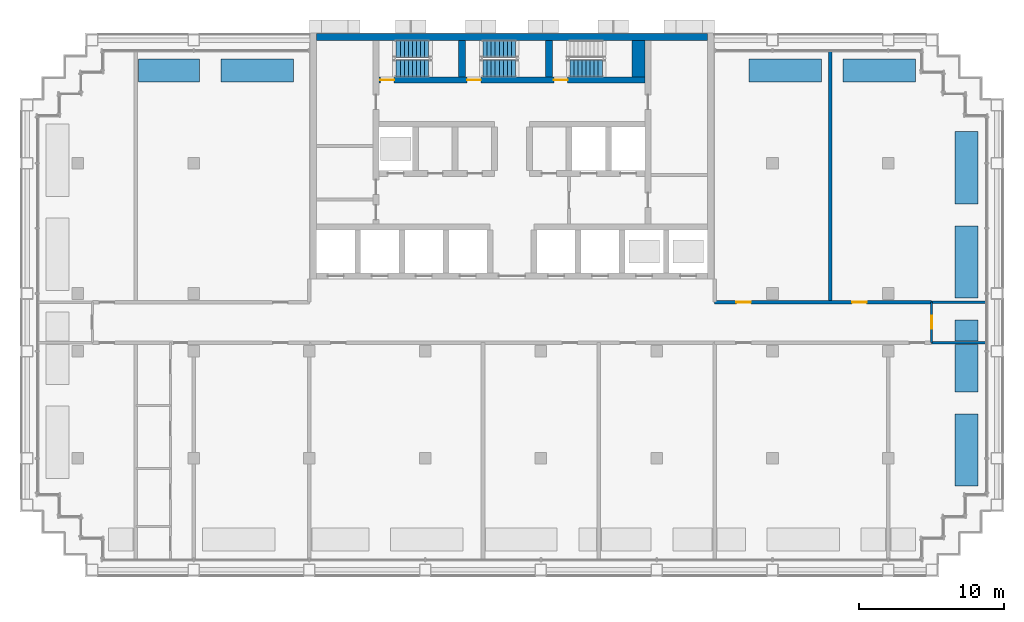
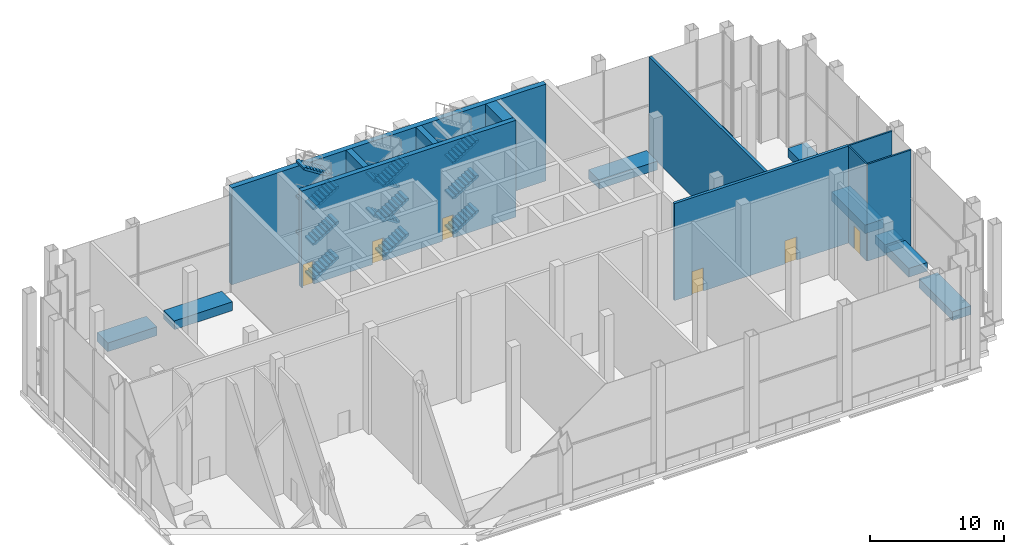
# One storey, part 10 of 16: 19 walls, 14 stair flights, 6 doors, 6 openings, 3 elements without a shape of their own.
"""IFC4 building model written with IfcOpenShell, lengths in metres."""

from ifc_helpers import new_model, si_unit, direction, frame, frame_2d, origin, place, context, subcontext, project, spatial, polyline, rectangle, outline, extrude, material, layer, layer_set, type_object, element, fill, aggregate, save


model = new_model("IFC4")

# Units and contexts
model_context = context("Model", 3, precision=1e-05, world=origin(), true_north=direction((0.0, 1.0)))
body_context = subcontext(model_context, "Body", "Model", "MODEL_VIEW")
ifc_project = project(units=[si_unit("LENGTHUNIT", "METRE"), si_unit("AREAUNIT", "SQUARE_METRE"), si_unit("VOLUMEUNIT", "CUBIC_METRE"), si_unit("PLANEANGLEUNIT", "RADIAN"), si_unit("MASSUNIT", "GRAM", prefix="KILO")], contexts=[model_context])

# Site, building, storey
site_placement = place(None, origin())
site = spatial("IfcSite", under=ifc_project, at=site_placement, CompositionType="ELEMENT")
building_placement = place(site_placement, origin())
building = spatial("IfcBuilding", under=site, at=building_placement, Name="Vidyagriha Tower", CompositionType="ELEMENT")
storey_placement = place(building_placement, frame((0.0, 0.0, 151.800048828125)))
storey = spatial("IfcBuildingStorey", under=building, at=storey_placement, Name="L40", CompositionType="ELEMENT", Elevation=151.800048828125)

# Walls
ifc_material_1 = material(Name="Precast concrete C40/50 with brick facing", Category="concrete")
ifc_layer_1 = layer(ifc_material_1, 1.60009765625)
ifc_layer_set_1 = layer_set([ifc_layer_1], Name="Precast concrete C40/50 with brick facing")
wall_type_1 = type_object("IfcWallType", Name="Brick planter box 1600", PredefinedType="STANDARD", material=ifc_layer_set_1)
for number, where, z_axis, x_axis, name in (
    (1, (27.8798828125, 17.39990234375, 0.0), (0.0, 0.0, 1.0), (-1.0, 0.0, 0.0), "PLANTER L40 1"),
    (2, (21.3798828125, 17.39990234375, 0.0), (0.0, 0.0, 1.0), (-1.0, 0.0, 0.0), "PLANTER L40 2"),
    (3, (-15.10009765625, 17.39990234375, 0.0), (0.0, 0.0, 1.0), (-1.0, 0.0, 0.0), "PLANTER L40 3"),
    (4, (31.39990234375, -11.320068359375, 0.0), (0.0, 0.0, 1.0), (0.0, 1.0, 0.0), "PLANTER L40 18"),
    (5, (31.39990234375, 1.679931640625, 0.0), (0.0, 0.0, 1.0), (0.0, 1.0, 0.0), "PLANTER L40 20"),
    (6, (31.39990234375, 8.179931640625, 0.0), (0.0, 0.0, 1.0), (0.0, 1.0, 0.0), "PLANTER L40 21"),
):
    element("IfcWall", number, at=place(storey_placement, frame(where, z_axis=z_axis, x_axis=x_axis)), inside=storey, type_object=wall_type_1, Name=name, PredefinedType="STANDARD", context=body_context, shape_type="SweptSolid", body=[
        extrude(rectangle(XDim=5.0, YDim=1.60009765625, at=frame_2d((2.5, 0.0))), origin(), (0.0, 0.0, 1.0), 0.800048828125),
    ])
wall_1_placement = place(storey_placement, frame((-21.60009765625, 17.39990234375, 0.0), z_axis=(0.0, 0.0, 1.0), x_axis=(-1.0, 0.0, 0.0)))
element("IfcWall", 7, at=wall_1_placement, inside=storey, type_object=wall_type_1, Name="PLANTER L40 4", PredefinedType="STANDARD", context=body_context, shape_type="SweptSolid", body=[
    extrude(rectangle(XDim=4.224853515625, YDim=1.60009765625, at=frame_2d((2.1123046875, 0.0))), origin(), (0.0, 0.0, 1.0), 0.800048828125),
])
wall_2_placement = place(storey_placement, frame((31.39990234375, -4.820068359375, 0.0), z_axis=(0.0, 0.0, 1.0), x_axis=(0.0, 1.0, 0.0)))
element("IfcWall", 8, at=wall_2_placement, inside=storey, type_object=wall_type_1, Name="PLANTER L40 19", PredefinedType="STANDARD", context=body_context, shape_type="SweptSolid", body=[
    extrude(rectangle(XDim=3.295166015625, YDim=1.60009765625, at=frame_2d((1.6474609375, 0.0))), origin(), (0.0, 0.0, 1.0), 0.800048828125),
])
wall_3_placement = place(storey_placement, frame((31.39990234375, -1.27490234375, 0.0), z_axis=(0.0, 0.0, 1.0), x_axis=(0.0, 1.0, 0.0)))
element("IfcWall", 9, at=wall_3_placement, inside=storey, type_object=wall_type_1, Name="PLANTER L40 19", PredefinedType="STANDARD", context=body_context, shape_type="SweptSolid", body=[
    extrude(rectangle(XDim=1.454833984375, YDim=1.60009765625, at=frame_2d((0.7275390625, 0.0))), origin(), (0.0, 0.0, 1.0), 0.800048828125),
])

# Wall, openings, doors
ifc_material_2 = material(Name="Concrete C60/75", Category="concrete")
ifc_layer_2 = layer(ifc_material_2, 0.39990234375)
ifc_layer_set_2 = layer_set([ifc_layer_2], Name="Concrete C60/75")
wall_type_2 = type_object("IfcWallType", Name="Core shear wall 400 mm", PredefinedType="SHEAR", material=ifc_layer_set_2)
wall_4_placement = place(storey_placement, frame((-9.199951171875, 16.75, 0.0)))
wall_4 = element("IfcWall", 10, at=wall_4_placement, inside=storey, type_object=wall_type_2, Name="Stair front wall", PredefinedType="SHEAR", context=body_context, shape_type="SweptSolid", body=[
    extrude(rectangle(XDim=18.39990234375, YDim=0.39990234375, at=frame_2d((9.199951171875, 0.0))), origin(), (0.0, 0.0, 1.0), 8.800048828125),
])
opening_1_placement = place(wall_4_placement, frame((0.10009765625, 0.0, 0.0)))
opening_1 = element("IfcOpeningElement", 11, at=opening_1_placement, cuts=wall_4, Name="Opening D40-06", PredefinedType="OPENING", context=body_context, shape_type="SweptSolid", body=[
    extrude(rectangle(XDim=0.949951171875, YDim=2.10009765625, at=frame_2d((0.47509765625, 1.050048828125))), frame((0.0, 0.2099609375, 0.0), z_axis=(0.0, -1.0, 0.0), x_axis=(1.0, 0.0, 0.0)), (0.0, 0.0, 1.0), 0.419921875),
])
opening_2_placement = place(wall_4_placement, frame((6.10009765625, 0.0, 0.0)))
opening_2 = element("IfcOpeningElement", 12, at=opening_2_placement, cuts=wall_4, Name="Opening D40-07", PredefinedType="OPENING", context=body_context, shape_type="SweptSolid", body=[
    extrude(rectangle(XDim=0.949951171875, YDim=2.10009765625, at=frame_2d((0.47509765625, 1.050048828125))), frame((0.0, 0.2099609375, 0.0), z_axis=(0.0, -1.0, 0.0), x_axis=(1.0, 0.0, 0.0)), (0.0, 0.0, 1.0), 0.419921875),
])
opening_3_placement = place(wall_4_placement, frame((12.10009765625, 0.0, 0.0)))
opening_3 = element("IfcOpeningElement", 13, at=opening_3_placement, cuts=wall_4, Name="Opening D40-08", PredefinedType="OPENING", context=body_context, shape_type="SweptSolid", body=[
    extrude(rectangle(XDim=0.949951171875, YDim=2.10009765625, at=frame_2d((0.47509765625, 1.050048828125))), frame((0.0, 0.2099609375, 0.0), z_axis=(0.0, -1.0, 0.0), x_axis=(1.0, 0.0, 0.0)), (0.0, 0.0, 1.0), 0.419921875),
])
ifc_material_3 = material(Name="Hollow metal door leaf")
door_type_1 = type_object("IfcDoorType", Name="Exit stair door 950 x 2100 mm EI 90", OperationType="NOTDEFINED", PredefinedType="DOOR", material=ifc_material_3)
door_1_placement = place(opening_1_placement, origin())
door_1 = element("IfcDoor", 14, at=door_1_placement, inside=storey, type_object=door_type_1, Name="Stair door ST1 L40", OperationType="SINGLE_SWING_LEFT", OverallHeight=2.10009765625, OverallWidth=0.949951171875, PredefinedType="DOOR", context=body_context, shape_type="SweptSolid", body=[
    extrude(rectangle(XDim=0.949951171875, YDim=2.10009765625, at=frame_2d((0.47509765625, 1.050048828125))), frame((0.0, 0.02490234375, 0.0), z_axis=(0.0, -1.0, 0.0), x_axis=(1.0, 0.0, 0.0)), (0.0, 0.0, 1.0), 0.050048828125),
])
fill(opening_1, door_1)
door_2_placement = place(opening_2_placement, origin())
door_2 = element("IfcDoor", 15, at=door_2_placement, inside=storey, type_object=door_type_1, Name="Stair door ST2 L40", OperationType="SINGLE_SWING_LEFT", OverallHeight=2.10009765625, OverallWidth=0.949951171875, PredefinedType="DOOR", context=body_context, shape_type="SweptSolid", body=[
    extrude(rectangle(XDim=0.949951171875, YDim=2.10009765625, at=frame_2d((0.47509765625, 1.050048828125))), frame((0.0, 0.02490234375, 0.0), z_axis=(0.0, -1.0, 0.0), x_axis=(1.0, 0.0, 0.0)), (0.0, 0.0, 1.0), 0.050048828125),
])
fill(opening_2, door_2)
door_3_placement = place(opening_3_placement, origin())
door_3 = element("IfcDoor", 16, at=door_3_placement, inside=storey, type_object=door_type_1, Name="Stair door ST3 L40", OperationType="SINGLE_SWING_LEFT", OverallHeight=2.10009765625, OverallWidth=0.949951171875, PredefinedType="DOOR", context=body_context, shape_type="SweptSolid", body=[
    extrude(rectangle(XDim=0.949951171875, YDim=2.10009765625, at=frame_2d((0.47509765625, 1.050048828125))), frame((0.0, 0.02490234375, 0.0), z_axis=(0.0, -1.0, 0.0), x_axis=(1.0, 0.0, 0.0)), (0.0, 0.0, 1.0), 0.050048828125),
])
fill(opening_3, door_3)

# Walls
ifc_material_4 = material(Name="Concrete C60/75", Category="concrete")
ifc_layer_3 = layer(ifc_material_4, 0.449951171875)
ifc_layer_set_3 = layer_set([ifc_layer_3], Name="Concrete C60/75")
wall_type_3 = type_object("IfcWallType", Name="Core shear wall 450 mm", PredefinedType="SHEAR", material=ifc_layer_set_3)
wall_5_placement = place(storey_placement, frame((-13.5, 19.72509765625, 0.0)))
element("IfcWall", 17, at=wall_5_placement, inside=storey, type_object=wall_type_3, Name="Core north wall", PredefinedType="SHEAR", context=body_context, shape_type="SweptSolid", body=[
    extrude(rectangle(XDim=27.0, YDim=0.449951171875, at=frame_2d((13.5, 0.0))), origin(), (0.0, 0.0, 1.0), 8.800048828125),
])
ifc_material_5 = material(Name="Concrete C60/75", Category="concrete")
ifc_layer_4 = layer(ifc_material_5, 0.5)
ifc_layer_set_4 = layer_set([ifc_layer_4], Name="Concrete C60/75")
wall_type_4 = type_object("IfcWallType", Name="Core shear wall 500 mm", PredefinedType="SHEAR", material=ifc_layer_set_4)
for number, where, z_axis, x_axis, name in (
    (18, (-3.449951171875, 16.949951171875, 0.0), (0.0, 0.0, 1.0), (0.0, 1.0, 0.0), "Stair partition wall 1"),
    (19, (2.550048828125, 16.949951171875, 0.0), (0.0, 0.0, 1.0), (0.0, 1.0, 0.0), "Stair partition wall 2"),
):
    element("IfcWall", number, at=place(storey_placement, frame(where, z_axis=z_axis, x_axis=x_axis)), inside=storey, type_object=wall_type_4, Name=name, PredefinedType="SHEAR", context=body_context, shape_type="SweptSolid", body=[
        extrude(rectangle(XDim=2.550048828125, YDim=0.5, at=frame_2d((1.27490234375, 0.0))), origin(), (0.0, 0.0, 1.0), 8.800048828125),
    ])
ifc_material_6 = material(Name="Concrete C60/75", Category="concrete")
ifc_layer_5 = layer(ifc_material_6, 0.89990234375)
ifc_layer_set_5 = layer_set([ifc_layer_5], Name="Concrete C60/75")
wall_type_5 = type_object("IfcWallType", Name="Core shear wall 900 mm", PredefinedType="SHEAR", material=ifc_layer_set_5)
wall_6_placement = place(storey_placement, frame((8.75, 16.949951171875, 0.0), z_axis=(0.0, 0.0, 1.0), x_axis=(0.0, 1.0, 0.0)))
element("IfcWall", 20, at=wall_6_placement, inside=storey, type_object=wall_type_5, Name="Stair end wall", PredefinedType="SHEAR", context=body_context, shape_type="SweptSolid", body=[
    extrude(rectangle(XDim=2.550048828125, YDim=0.89990234375, at=frame_2d((1.27490234375, 0.0))), origin(), (0.0, 0.0, 1.0), 8.800048828125),
])

# Wall, openings, doors
ifc_material_7 = material(Name="Fired clay brick masonry", Category="masonry")
ifc_layer_6 = layer(ifc_material_7, 0.25)
ifc_layer_set_6 = layer_set([ifc_layer_6], Name="Fired clay brick masonry")
wall_type_6 = type_object("IfcWallType", Name="Fired clay brick corridor wall 250", PredefinedType="PARTITIONING", material=ifc_layer_set_6)
wall_7_placement = place(storey_placement, frame((14.0, 1.39990234375, 0.0)))
wall_7 = element("IfcWall", 21, at=wall_7_placement, inside=storey, type_object=wall_type_6, Name="Wall all-L40-w032", PredefinedType="PARTITIONING", context=body_context, shape_type="SweptSolid", body=[
    extrude(rectangle(XDim=15.0, YDim=0.25, at=frame_2d((7.5, 0.0))), origin(), (0.0, 0.0, 1.0), 8.800048828125),
])
opening_4_placement = place(wall_7_placement, frame((1.5, 0.0, 0.0)))
opening_4 = element("IfcOpeningElement", 22, at=opening_4_placement, cuts=wall_7, Name="Opening D40-27", PredefinedType="OPENING", context=body_context, shape_type="SweptSolid", body=[
    extrude(rectangle(XDim=1.0, YDim=2.10009765625, at=frame_2d((0.5, 1.050048828125))), frame((0.0, 0.135009765625, 0.0), z_axis=(0.0, -1.0, 0.0), x_axis=(1.0, 0.0, 0.0)), (0.0, 0.0, 1.0), 0.27001953125),
])
opening_5_placement = place(wall_7_placement, frame((9.5, 0.0, 0.0)))
opening_5 = element("IfcOpeningElement", 23, at=opening_5_placement, cuts=wall_7, Name="Opening D40-28", PredefinedType="OPENING", context=body_context, shape_type="SweptSolid", body=[
    extrude(rectangle(XDim=1.0, YDim=2.10009765625, at=frame_2d((0.5, 1.050048828125))), frame((0.0, 0.135009765625, 0.0), z_axis=(0.0, -1.0, 0.0), x_axis=(1.0, 0.0, 0.0)), (0.0, 0.0, 1.0), 0.27001953125),
])
ifc_material_8 = material(Name="Fire-rated timber door leaf EI 60", Category="wood")
door_type_2 = type_object("IfcDoorType", Name="Flat entrance fire door 1000x2100", OperationType="NOTDEFINED", PredefinedType="DOOR", material=ifc_material_8)
door_4_placement = place(opening_4_placement, origin())
door_4 = element("IfcDoor", 24, at=door_4_placement, inside=storey, type_object=door_type_2, Name="Door D40-27", OperationType="SINGLE_SWING_LEFT", OverallHeight=2.10009765625, OverallWidth=1.0, PredefinedType="DOOR", context=body_context, shape_type="SweptSolid", body=[
    extrude(rectangle(XDim=1.0, YDim=2.10009765625, at=frame_2d((0.5, 1.050048828125))), frame((0.0, 0.02490234375, 0.0), z_axis=(0.0, -1.0, 0.0), x_axis=(1.0, 0.0, 0.0)), (0.0, 0.0, 1.0), 0.050048828125),
])
fill(opening_4, door_4)
door_5_placement = place(opening_5_placement, origin())
door_5 = element("IfcDoor", 25, at=door_5_placement, inside=storey, type_object=door_type_2, Name="Door D40-28", OperationType="SINGLE_SWING_LEFT", OverallHeight=2.10009765625, OverallWidth=1.0, PredefinedType="DOOR", context=body_context, shape_type="SweptSolid", body=[
    extrude(rectangle(XDim=1.0, YDim=2.10009765625, at=frame_2d((0.5, 1.050048828125))), frame((0.0, 0.02490234375, 0.0), z_axis=(0.0, -1.0, 0.0), x_axis=(1.0, 0.0, 0.0)), (0.0, 0.0, 1.0), 0.050048828125),
])
fill(opening_5, door_5)

# Walls
ifc_material_9 = material(Name="Fired clay brick masonry", Category="masonry")
ifc_layer_7 = layer(ifc_material_9, 0.25)
ifc_layer_set_7 = layer_set([ifc_layer_7], Name="Fired clay brick masonry")
wall_type_7 = type_object("IfcWallType", Name="Fired clay brick demising wall 250", PredefinedType="PARTITIONING", material=ifc_layer_set_7)
wall_8_placement = place(storey_placement, frame((22.0, 18.720947265625, 0.0), z_axis=(0.0, 0.0, 1.0), x_axis=(0.0, -1.0, 0.0)))
element("IfcWall", 26, at=wall_8_placement, inside=storey, type_object=wall_type_7, Name="Wall all-L40-w036", PredefinedType="PARTITIONING", context=body_context, shape_type="SweptSolid", body=[
    extrude(rectangle(XDim=17.321044921875, YDim=0.25, at=frame_2d((8.66064453125, 0.0))), origin(), (0.0, 0.0, 1.0), 8.800048828125),
])
ifc_material_10 = material(Name="Gypsum board partition")
ifc_layer_8 = layer(ifc_material_10, 0.14990234375)
ifc_layer_set_8 = layer_set([ifc_layer_8], Name="Gypsum board partition")
wall_type_8 = type_object("IfcWallType", Name="Gypsum board partition 150", PredefinedType="PARTITIONING", material=ifc_layer_set_8)
wall_9_placement = place(storey_placement, frame((32.72998046875, -1.39990234375, 0.0), z_axis=(0.0, 0.0, 1.0), x_axis=(-1.0, 0.0, 0.0)))
element("IfcWall", 27, at=wall_9_placement, inside=storey, type_object=wall_type_8, Name="Wall all-L40-w025", PredefinedType="PARTITIONING", context=body_context, shape_type="SweptSolid", body=[
    extrude(rectangle(XDim=3.72998046875, YDim=0.14990234375, at=frame_2d((1.864990234375, 0.0))), origin(), (0.0, 0.0, 1.0), 8.800048828125),
])

# Wall, opening, door
wall_10_placement = place(storey_placement, frame((29.0, -1.39990234375, 0.0), z_axis=(0.0, 0.0, 1.0), x_axis=(0.0, 1.0, 0.0)))
wall_10 = element("IfcWall", 28, at=wall_10_placement, inside=storey, type_object=wall_type_8, Name="Wall all-L40-w026", PredefinedType="PARTITIONING", context=body_context, shape_type="SweptSolid", body=[
    extrude(rectangle(XDim=2.7998046875, YDim=0.14990234375, at=frame_2d((1.39990234375, 0.0))), origin(), (0.0, 0.0, 1.0), 8.800048828125),
])
opening_6_placement = place(wall_10_placement, frame((0.949951171875, 0.0, 0.0)))
opening_6 = element("IfcOpeningElement", 29, at=opening_6_placement, cuts=wall_10, Name="Opening D40-26", PredefinedType="OPENING", context=body_context, shape_type="SweptSolid", body=[
    extrude(rectangle(XDim=0.89990234375, YDim=2.10009765625, at=frame_2d((0.449951171875, 1.050048828125))), frame((0.0, 0.0849609375, 0.0), z_axis=(0.0, -1.0, 0.0), x_axis=(1.0, 0.0, 0.0)), (0.0, 0.0, 1.0), 0.169921875),
])
ifc_material_11 = material(Name="Timber door leaf", Category="wood")
door_type_3 = type_object("IfcDoorType", Name="Room door 900x2100", OperationType="NOTDEFINED", PredefinedType="DOOR", material=ifc_material_11)
door_6_placement = place(opening_6_placement, origin())
door_6 = element("IfcDoor", 30, at=door_6_placement, inside=storey, type_object=door_type_3, Name="Door D40-26", OperationType="SINGLE_SWING_RIGHT", OverallHeight=2.10009765625, OverallWidth=0.89990234375, PredefinedType="DOOR", context=body_context, shape_type="SweptSolid", body=[
    extrude(rectangle(XDim=0.89990234375, YDim=2.10009765625, at=frame_2d((0.449951171875, 1.050048828125))), frame((0.0, 0.02490234375, 0.0), z_axis=(0.0, -1.0, 0.0), x_axis=(1.0, 0.0, 0.0)), (0.0, 0.0, 1.0), 0.050048828125),
])
fill(opening_6, door_6)

# Wall
wall_11_placement = place(storey_placement, frame((29.0, 1.39990234375, 0.0)))
element("IfcWall", 31, at=wall_11_placement, inside=storey, type_object=wall_type_8, Name="Wall all-L40-w033", PredefinedType="PARTITIONING", context=body_context, shape_type="SweptSolid", body=[
    extrude(rectangle(XDim=3.72998046875, YDim=0.14990234375, at=frame_2d((1.864990234375, 0.0))), origin(), (0.0, 0.0, 1.0), 8.800048828125),
])

# Stair, stair flights
ifc_material_12 = material(Name="Concrete C40/50", Category="concrete")
stair_type = type_object("IfcStairType", Name="Exit stair, half-turn, precast flights", PredefinedType="HALF_TURN_STAIR", material=ifc_material_12)
stair_1_placement = place(storey_placement, origin())
stair_1 = element("IfcStair", 32, at=stair_1_placement, inside=storey, type_object=stair_type, Name="L40 Exit Stair ST1", PredefinedType="HALF_TURN_STAIR")
ifc_material_13 = material(Name="Precast concrete C40/50", Category="concrete")
stair_flight_type = type_object("IfcStairFlightType", Name="Exit stair flight 1200 mm, precast", PredefinedType="STRAIGHT", material=ifc_material_13)
stair_flight_1_placement = place(storey_placement, frame((-8.0, 17.550048828125, 0.0)))
stair_flight_1 = element("IfcStairFlight", 33, at=stair_flight_1_placement, type_object=stair_flight_type, Name="ST1 flight 1", NumberOfRisers=9, NumberOfTreads=8, PredefinedType="STRAIGHT", RiserHeight=0.177777778, TreadLength=0.28, context=body_context, shape_type="SweptSolid", body=[
    extrude(outline(polyline([(0.0, 0.0), (0.0, 0.177734375), (0.280029296875, 0.177734375), (0.280029296875, 0.35546875), (0.56005859375, 0.35546875), (0.56005859375, 0.533447265625), (0.840087890625, 0.533447265625), (0.840087890625, 0.711181640625), (1.1201171875, 0.711181640625), (1.1201171875, 0.888916015625), (1.39990234375, 0.888916015625), (1.39990234375, 1.066650390625), (1.679931640625, 1.066650390625), (1.679931640625, 1.244384765625), (1.9599609375, 1.244384765625), (1.9599609375, 1.422119140625), (2.239990234375, 1.422119140625), (2.239990234375, 1.60009765625), (2.239990234375, 1.24462890625), (0.27978515625, 0.0), (0.0, 0.0)])), frame((0.0, 0.60009765625, 0.0), z_axis=(0.0, -1.0, 0.0), x_axis=(1.0, 0.0, 0.0)), (0.0, 0.0, 1.0), 1.199951171875),
])
stair_flight_2_placement = place(storey_placement, frame((-5.760009765625, 18.89990234375, 1.599853515625), z_axis=(0.0, 0.0, 1.0), x_axis=(-1.0, 0.0, 0.0)))
stair_flight_2 = element("IfcStairFlight", 34, at=stair_flight_2_placement, type_object=stair_flight_type, Name="ST1 flight 2", NumberOfRisers=9, NumberOfTreads=8, PredefinedType="STRAIGHT", RiserHeight=0.177777778, TreadLength=0.28, context=body_context, shape_type="SweptSolid", body=[
    extrude(outline(polyline([(0.0, 0.0), (0.0, 0.177734375), (0.280029296875, 0.177734375), (0.280029296875, 0.35546875), (0.56005859375, 0.35546875), (0.56005859375, 0.533447265625), (0.840087890625, 0.533447265625), (0.840087890625, 0.711181640625), (1.1201171875, 0.711181640625), (1.1201171875, 0.888916015625), (1.39990234375, 0.888916015625), (1.39990234375, 1.066650390625), (1.679931640625, 1.066650390625), (1.679931640625, 1.244384765625), (1.9599609375, 1.244384765625), (1.9599609375, 1.422119140625), (2.239990234375, 1.422119140625), (2.239990234375, 1.60009765625), (2.239990234375, 1.24462890625), (0.27978515625, 0.0), (0.0, 0.0)])), frame((0.0, 0.60009765625, 0.0), z_axis=(0.0, -1.0, 0.0), x_axis=(1.0, 0.0, 0.0)), (0.0, 0.0, 1.0), 1.199951171875),
])
stair_flight_3_placement = place(storey_placement, frame((-8.0, 17.550048828125, 3.199951171875)))
stair_flight_3 = element("IfcStairFlight", 35, at=stair_flight_3_placement, type_object=stair_flight_type, Name="ST1 flight 3", NumberOfRisers=9, NumberOfTreads=8, PredefinedType="STRAIGHT", RiserHeight=0.177777778, TreadLength=0.28, context=body_context, shape_type="SweptSolid", body=[
    extrude(outline(polyline([(0.0, 0.0), (0.0, 0.177734375), (0.280029296875, 0.177734375), (0.280029296875, 0.35546875), (0.56005859375, 0.35546875), (0.56005859375, 0.533447265625), (0.840087890625, 0.533447265625), (0.840087890625, 0.711181640625), (1.1201171875, 0.711181640625), (1.1201171875, 0.888916015625), (1.39990234375, 0.888916015625), (1.39990234375, 1.066650390625), (1.679931640625, 1.066650390625), (1.679931640625, 1.244384765625), (1.9599609375, 1.244384765625), (1.9599609375, 1.422119140625), (2.239990234375, 1.422119140625), (2.239990234375, 1.60009765625), (2.239990234375, 1.24462890625), (0.27978515625, 0.0), (0.0, 0.0)])), frame((0.0, 0.60009765625, 0.0), z_axis=(0.0, -1.0, 0.0), x_axis=(1.0, 0.0, 0.0)), (0.0, 0.0, 1.0), 1.199951171875),
])
stair_flight_4_placement = place(storey_placement, frame((-5.760009765625, 18.89990234375, 4.800048828125), z_axis=(0.0, 0.0, 1.0), x_axis=(-1.0, 0.0, 0.0)))
stair_flight_4 = element("IfcStairFlight", 36, at=stair_flight_4_placement, type_object=stair_flight_type, Name="ST1 flight 4", NumberOfRisers=9, NumberOfTreads=8, PredefinedType="STRAIGHT", RiserHeight=0.177777778, TreadLength=0.28, context=body_context, shape_type="SweptSolid", body=[
    extrude(outline(polyline([(0.0, 0.0), (0.0, 0.177734375), (0.280029296875, 0.177734375), (0.280029296875, 0.35546875), (0.56005859375, 0.35546875), (0.56005859375, 0.533447265625), (0.840087890625, 0.533447265625), (0.840087890625, 0.711181640625), (1.1201171875, 0.711181640625), (1.1201171875, 0.888916015625), (1.39990234375, 0.888916015625), (1.39990234375, 1.066650390625), (1.679931640625, 1.066650390625), (1.679931640625, 1.244384765625), (1.9599609375, 1.244384765625), (1.9599609375, 1.422119140625), (2.239990234375, 1.422119140625), (2.239990234375, 1.60009765625), (2.239990234375, 1.24462890625), (0.27978515625, 0.0), (0.0, 0.0)])), frame((0.0, 0.60009765625, 0.0), z_axis=(0.0, -1.0, 0.0), x_axis=(1.0, 0.0, 0.0)), (0.0, 0.0, 1.0), 1.199951171875),
])
stair_flight_5_placement = place(storey_placement, frame((-8.0, 17.550048828125, 6.39990234375)))
stair_flight_5 = element("IfcStairFlight", 37, at=stair_flight_5_placement, type_object=stair_flight_type, Name="ST1 flight 5", NumberOfRisers=9, NumberOfTreads=8, PredefinedType="STRAIGHT", RiserHeight=0.177777778, TreadLength=0.28, context=body_context, shape_type="SweptSolid", body=[
    extrude(outline(polyline([(0.0, 0.0), (0.0, 0.177734375), (0.280029296875, 0.177734375), (0.280029296875, 0.35546875), (0.56005859375, 0.35546875), (0.56005859375, 0.533447265625), (0.840087890625, 0.533447265625), (0.840087890625, 0.711181640625), (1.1201171875, 0.711181640625), (1.1201171875, 0.888916015625), (1.39990234375, 0.888916015625), (1.39990234375, 1.066650390625), (1.679931640625, 1.066650390625), (1.679931640625, 1.244384765625), (1.9599609375, 1.244384765625), (1.9599609375, 1.422119140625), (2.239990234375, 1.422119140625), (2.239990234375, 1.60009765625), (2.239990234375, 1.24462890625), (0.27978515625, 0.0), (0.0, 0.0)])), frame((0.0, 0.60009765625, 0.0), z_axis=(0.0, -1.0, 0.0), x_axis=(1.0, 0.0, 0.0)), (0.0, 0.0, 1.0), 1.199951171875),
])
stair_flight_6_placement = place(storey_placement, frame((-5.760009765625, 18.89990234375, 8.0), z_axis=(0.0, 0.0, 1.0), x_axis=(-1.0, 0.0, 0.0)))
stair_flight_6 = element("IfcStairFlight", 38, at=stair_flight_6_placement, type_object=stair_flight_type, Name="ST1 flight 6", NumberOfRisers=9, NumberOfTreads=8, PredefinedType="STRAIGHT", RiserHeight=0.177777778, TreadLength=0.28, context=body_context, shape_type="SweptSolid", body=[
    extrude(outline(polyline([(0.0, 0.0), (0.0, 0.177734375), (0.280029296875, 0.177734375), (0.280029296875, 0.35546875), (0.56005859375, 0.35546875), (0.56005859375, 0.533447265625), (0.840087890625, 0.533447265625), (0.840087890625, 0.711181640625), (1.1201171875, 0.711181640625), (1.1201171875, 0.888916015625), (1.39990234375, 0.888916015625), (1.39990234375, 1.066650390625), (1.679931640625, 1.066650390625), (1.679931640625, 1.244384765625), (1.9599609375, 1.244384765625), (1.9599609375, 1.422119140625), (2.239990234375, 1.422119140625), (2.239990234375, 1.60009765625), (2.239990234375, 1.24462890625), (0.27978515625, 0.0), (0.0, 0.0)])), frame((0.0, 0.60009765625, 0.0), z_axis=(0.0, -1.0, 0.0), x_axis=(1.0, 0.0, 0.0)), (0.0, 0.0, 1.0), 1.199951171875),
])
aggregate(stair_1, [stair_flight_1, stair_flight_2, stair_flight_3, stair_flight_4, stair_flight_5, stair_flight_6])

stair_2_placement = place(storey_placement, origin())
stair_2 = element("IfcStair", 39, at=stair_2_placement, inside=storey, type_object=stair_type, Name="L40 Exit Stair ST2", PredefinedType="HALF_TURN_STAIR")
stair_flight_7_placement = place(storey_placement, frame((-2.0, 17.550048828125, 0.0)))
stair_flight_7 = element("IfcStairFlight", 40, at=stair_flight_7_placement, type_object=stair_flight_type, Name="ST2 flight 1", NumberOfRisers=9, NumberOfTreads=8, PredefinedType="STRAIGHT", RiserHeight=0.177777778, TreadLength=0.28, context=body_context, shape_type="SweptSolid", body=[
    extrude(outline(polyline([(0.0, 0.0), (0.0, 0.177734375), (0.280029296875, 0.177734375), (0.280029296875, 0.35546875), (0.56005859375, 0.35546875), (0.56005859375, 0.533447265625), (0.840087890625, 0.533447265625), (0.840087890625, 0.711181640625), (1.1201171875, 0.711181640625), (1.1201171875, 0.888916015625), (1.39990234375, 0.888916015625), (1.39990234375, 1.066650390625), (1.679931640625, 1.066650390625), (1.679931640625, 1.244384765625), (1.9599609375, 1.244384765625), (1.9599609375, 1.422119140625), (2.239990234375, 1.422119140625), (2.239990234375, 1.60009765625), (2.239990234375, 1.24462890625), (0.27978515625, 0.0), (0.0, 0.0)])), frame((0.0, 0.60009765625, 0.0), z_axis=(0.0, -1.0, 0.0), x_axis=(1.0, 0.0, 0.0)), (0.0, 0.0, 1.0), 1.199951171875),
])
stair_flight_8_placement = place(storey_placement, frame((0.239990234375, 18.89990234375, 1.599853515625), z_axis=(0.0, 0.0, 1.0), x_axis=(-1.0, 0.0, 0.0)))
stair_flight_8 = element("IfcStairFlight", 41, at=stair_flight_8_placement, type_object=stair_flight_type, Name="ST2 flight 2", NumberOfRisers=9, NumberOfTreads=8, PredefinedType="STRAIGHT", RiserHeight=0.177777778, TreadLength=0.28, context=body_context, shape_type="SweptSolid", body=[
    extrude(outline(polyline([(0.0, 0.0), (0.0, 0.177734375), (0.280029296875, 0.177734375), (0.280029296875, 0.35546875), (0.56005859375, 0.35546875), (0.56005859375, 0.533447265625), (0.840087890625, 0.533447265625), (0.840087890625, 0.711181640625), (1.1201171875, 0.711181640625), (1.1201171875, 0.888916015625), (1.39990234375, 0.888916015625), (1.39990234375, 1.066650390625), (1.679931640625, 1.066650390625), (1.679931640625, 1.244384765625), (1.9599609375, 1.244384765625), (1.9599609375, 1.422119140625), (2.239990234375, 1.422119140625), (2.239990234375, 1.60009765625), (2.239990234375, 1.24462890625), (0.27978515625, 0.0), (0.0, 0.0)])), frame((0.0, 0.60009765625, 0.0), z_axis=(0.0, -1.0, 0.0), x_axis=(1.0, 0.0, 0.0)), (0.0, 0.0, 1.0), 1.199951171875),
])
stair_flight_9_placement = place(storey_placement, frame((-2.0, 17.550048828125, 3.199951171875)))
stair_flight_9 = element("IfcStairFlight", 42, at=stair_flight_9_placement, type_object=stair_flight_type, Name="ST2 flight 3", NumberOfRisers=9, NumberOfTreads=8, PredefinedType="STRAIGHT", RiserHeight=0.177777778, TreadLength=0.28, context=body_context, shape_type="SweptSolid", body=[
    extrude(outline(polyline([(0.0, 0.0), (0.0, 0.177734375), (0.280029296875, 0.177734375), (0.280029296875, 0.35546875), (0.56005859375, 0.35546875), (0.56005859375, 0.533447265625), (0.840087890625, 0.533447265625), (0.840087890625, 0.711181640625), (1.1201171875, 0.711181640625), (1.1201171875, 0.888916015625), (1.39990234375, 0.888916015625), (1.39990234375, 1.066650390625), (1.679931640625, 1.066650390625), (1.679931640625, 1.244384765625), (1.9599609375, 1.244384765625), (1.9599609375, 1.422119140625), (2.239990234375, 1.422119140625), (2.239990234375, 1.60009765625), (2.239990234375, 1.24462890625), (0.27978515625, 0.0), (0.0, 0.0)])), frame((0.0, 0.60009765625, 0.0), z_axis=(0.0, -1.0, 0.0), x_axis=(1.0, 0.0, 0.0)), (0.0, 0.0, 1.0), 1.199951171875),
])
stair_flight_10_placement = place(storey_placement, frame((0.239990234375, 18.89990234375, 4.800048828125), z_axis=(0.0, 0.0, 1.0), x_axis=(-1.0, 0.0, 0.0)))
stair_flight_10 = element("IfcStairFlight", 43, at=stair_flight_10_placement, type_object=stair_flight_type, Name="ST2 flight 4", NumberOfRisers=9, NumberOfTreads=8, PredefinedType="STRAIGHT", RiserHeight=0.177777778, TreadLength=0.28, context=body_context, shape_type="SweptSolid", body=[
    extrude(outline(polyline([(0.0, 0.0), (0.0, 0.177734375), (0.280029296875, 0.177734375), (0.280029296875, 0.35546875), (0.56005859375, 0.35546875), (0.56005859375, 0.533447265625), (0.840087890625, 0.533447265625), (0.840087890625, 0.711181640625), (1.1201171875, 0.711181640625), (1.1201171875, 0.888916015625), (1.39990234375, 0.888916015625), (1.39990234375, 1.066650390625), (1.679931640625, 1.066650390625), (1.679931640625, 1.244384765625), (1.9599609375, 1.244384765625), (1.9599609375, 1.422119140625), (2.239990234375, 1.422119140625), (2.239990234375, 1.60009765625), (2.239990234375, 1.24462890625), (0.27978515625, 0.0), (0.0, 0.0)])), frame((0.0, 0.60009765625, 0.0), z_axis=(0.0, -1.0, 0.0), x_axis=(1.0, 0.0, 0.0)), (0.0, 0.0, 1.0), 1.199951171875),
])
stair_flight_11_placement = place(storey_placement, frame((-2.0, 17.550048828125, 6.39990234375)))
stair_flight_11 = element("IfcStairFlight", 44, at=stair_flight_11_placement, type_object=stair_flight_type, Name="ST2 flight 5", NumberOfRisers=9, NumberOfTreads=8, PredefinedType="STRAIGHT", RiserHeight=0.177777778, TreadLength=0.28, context=body_context, shape_type="SweptSolid", body=[
    extrude(outline(polyline([(0.0, 0.0), (0.0, 0.177734375), (0.280029296875, 0.177734375), (0.280029296875, 0.35546875), (0.56005859375, 0.35546875), (0.56005859375, 0.533447265625), (0.840087890625, 0.533447265625), (0.840087890625, 0.711181640625), (1.1201171875, 0.711181640625), (1.1201171875, 0.888916015625), (1.39990234375, 0.888916015625), (1.39990234375, 1.066650390625), (1.679931640625, 1.066650390625), (1.679931640625, 1.244384765625), (1.9599609375, 1.244384765625), (1.9599609375, 1.422119140625), (2.239990234375, 1.422119140625), (2.239990234375, 1.60009765625), (2.239990234375, 1.24462890625), (0.27978515625, 0.0), (0.0, 0.0)])), frame((0.0, 0.60009765625, 0.0), z_axis=(0.0, -1.0, 0.0), x_axis=(1.0, 0.0, 0.0)), (0.0, 0.0, 1.0), 1.199951171875),
])
aggregate(stair_2, [stair_flight_7, stair_flight_8, stair_flight_9, stair_flight_10, stair_flight_11])

stair_3_placement = place(storey_placement, origin())
stair_3 = element("IfcStair", 45, at=stair_3_placement, inside=storey, type_object=stair_type, Name="L40 Exit Stair ST3", PredefinedType="HALF_TURN_STAIR")
stair_flight_12_placement = place(storey_placement, frame((4.0, 17.550048828125, 0.0)))
stair_flight_12 = element("IfcStairFlight", 46, at=stair_flight_12_placement, type_object=stair_flight_type, Name="ST3 flight 1", NumberOfRisers=9, NumberOfTreads=8, PredefinedType="STRAIGHT", RiserHeight=0.177777778, TreadLength=0.28, context=body_context, shape_type="SweptSolid", body=[
    extrude(outline(polyline([(0.0, 0.0), (0.0, 0.177734375), (0.280029296875, 0.177734375), (0.280029296875, 0.35546875), (0.56005859375, 0.35546875), (0.56005859375, 0.533447265625), (0.840087890625, 0.533447265625), (0.840087890625, 0.711181640625), (1.1201171875, 0.711181640625), (1.1201171875, 0.888916015625), (1.39990234375, 0.888916015625), (1.39990234375, 1.066650390625), (1.679931640625, 1.066650390625), (1.679931640625, 1.244384765625), (1.9599609375, 1.244384765625), (1.9599609375, 1.422119140625), (2.239990234375, 1.422119140625), (2.239990234375, 1.60009765625), (2.239990234375, 1.24462890625), (0.27978515625, 0.0), (0.0, 0.0)])), frame((0.0, 0.60009765625, 0.0), z_axis=(0.0, -1.0, 0.0), x_axis=(1.0, 0.0, 0.0)), (0.0, 0.0, 1.0), 1.199951171875),
])
stair_flight_13_placement = place(storey_placement, frame((4.0, 17.550048828125, 3.199951171875)))
stair_flight_13 = element("IfcStairFlight", 47, at=stair_flight_13_placement, type_object=stair_flight_type, Name="ST3 flight 3", NumberOfRisers=9, NumberOfTreads=8, PredefinedType="STRAIGHT", RiserHeight=0.177777778, TreadLength=0.28, context=body_context, shape_type="SweptSolid", body=[
    extrude(outline(polyline([(0.0, 0.0), (0.0, 0.177734375), (0.280029296875, 0.177734375), (0.280029296875, 0.35546875), (0.56005859375, 0.35546875), (0.56005859375, 0.533447265625), (0.840087890625, 0.533447265625), (0.840087890625, 0.711181640625), (1.1201171875, 0.711181640625), (1.1201171875, 0.888916015625), (1.39990234375, 0.888916015625), (1.39990234375, 1.066650390625), (1.679931640625, 1.066650390625), (1.679931640625, 1.244384765625), (1.9599609375, 1.244384765625), (1.9599609375, 1.422119140625), (2.239990234375, 1.422119140625), (2.239990234375, 1.60009765625), (2.239990234375, 1.24462890625), (0.27978515625, 0.0), (0.0, 0.0)])), frame((0.0, 0.60009765625, 0.0), z_axis=(0.0, -1.0, 0.0), x_axis=(1.0, 0.0, 0.0)), (0.0, 0.0, 1.0), 1.199951171875),
])
stair_flight_14_placement = place(storey_placement, frame((4.0, 17.550048828125, 6.39990234375)))
stair_flight_14 = element("IfcStairFlight", 48, at=stair_flight_14_placement, type_object=stair_flight_type, Name="ST3 flight 5", NumberOfRisers=9, NumberOfTreads=8, PredefinedType="STRAIGHT", RiserHeight=0.177777778, TreadLength=0.28, context=body_context, shape_type="SweptSolid", body=[
    extrude(outline(polyline([(0.0, 0.0), (0.0, 0.177734375), (0.280029296875, 0.177734375), (0.280029296875, 0.35546875), (0.56005859375, 0.35546875), (0.56005859375, 0.533447265625), (0.840087890625, 0.533447265625), (0.840087890625, 0.711181640625), (1.1201171875, 0.711181640625), (1.1201171875, 0.888916015625), (1.39990234375, 0.888916015625), (1.39990234375, 1.066650390625), (1.679931640625, 1.066650390625), (1.679931640625, 1.244384765625), (1.9599609375, 1.244384765625), (1.9599609375, 1.422119140625), (2.239990234375, 1.422119140625), (2.239990234375, 1.60009765625), (2.239990234375, 1.24462890625), (0.27978515625, 0.0), (0.0, 0.0)])), frame((0.0, 0.60009765625, 0.0), z_axis=(0.0, -1.0, 0.0), x_axis=(1.0, 0.0, 0.0)), (0.0, 0.0, 1.0), 1.199951171875),
])
aggregate(stair_3, [stair_flight_12, stair_flight_13, stair_flight_14])

save(model, "model.ifc")
